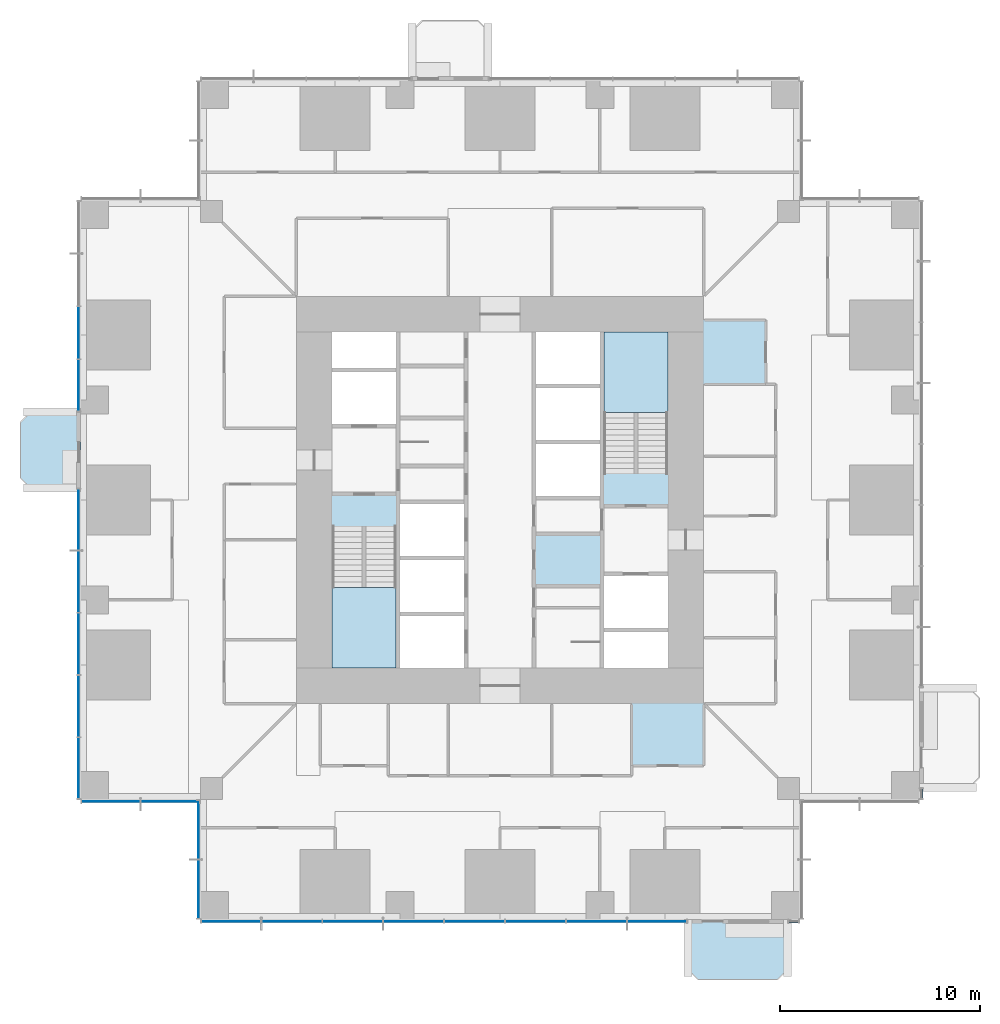
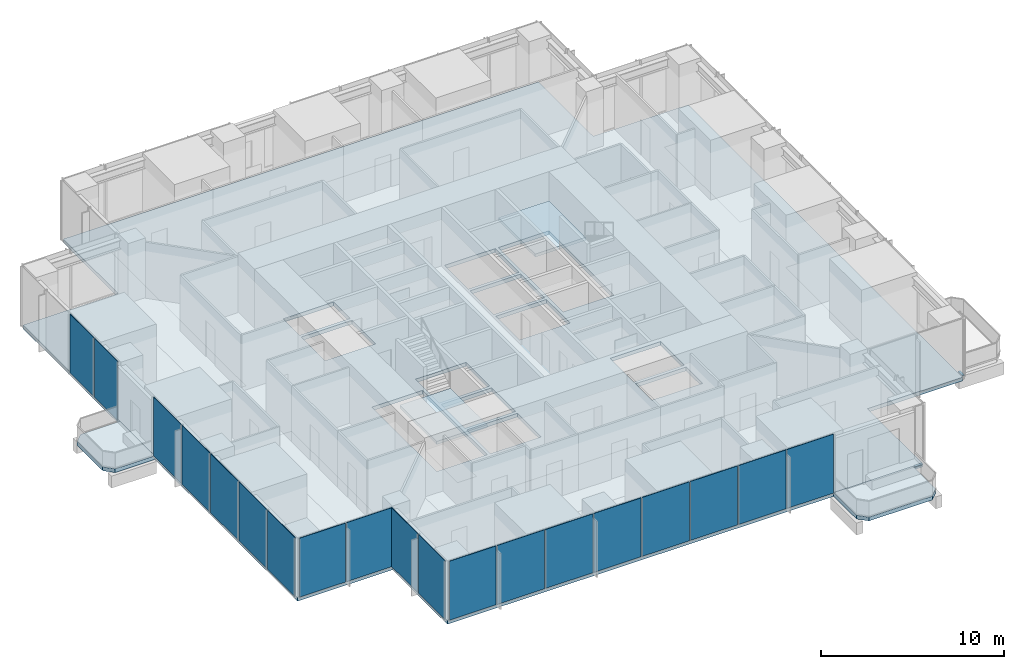
# One storey, part 7 of 16: 19 plates, 5 slabs, 2 members, 9 elements without a shape of their own.
"""IFC4 building model written with IfcOpenShell, lengths in metres."""

from ifc_helpers import new_model, si_unit, direction, frame, origin, origin_2d, place, context, subcontext, project, spatial, polyline, rectangle, outline, extrude, material, layer, layer_set, material_profile, profile_set, type_object, element, aggregate, save


model = new_model("IFC4")

# Units and contexts
model_context = context("Model", 3, precision=1e-05, world=origin(), true_north=direction((0.0, 1.0)))
body_context = subcontext(model_context, "Body", "Model", "MODEL_VIEW")
ifc_project = project(units=[si_unit("LENGTHUNIT", "METRE"), si_unit("AREAUNIT", "SQUARE_METRE"), si_unit("VOLUMEUNIT", "CUBIC_METRE"), si_unit("PLANEANGLEUNIT", "RADIAN"), si_unit("MASSUNIT", "GRAM", prefix="KILO")], contexts=[model_context])

# Site, building, storey
site_placement = place(None, origin())
site = spatial("IfcSite", under=ifc_project, at=site_placement, CompositionType="ELEMENT")
building_placement = place(site_placement, origin())
building = spatial("IfcBuilding", under=site, at=building_placement, Name="Svetlomir Tower", CompositionType="ELEMENT")
storey_placement = place(building_placement, frame((0.0, 0.0, 58.5)))
storey = spatial("IfcBuildingStorey", under=building, at=storey_placement, Name="L13", CompositionType="ELEMENT", Elevation=58.5)

# Curtain wall, member
ifc_material_1 = material(Name="Bronze anodised aluminium curtain wall", Category="aluminium")
curtain_wall_type = type_object("IfcCurtainWallType", Name="CURTAIN WALL CW1 TOWER OFFICE", PredefinedType="NOTDEFINED", material=ifc_material_1)
curtain_wall_1_placement = place(storey_placement, origin())
curtain_wall_1 = element("IfcCurtainWall", 1, at=curtain_wall_1_placement, inside=storey, type_object=curtain_wall_type, Name="Curtain wall CW1 L13", PredefinedType="NOTDEFINED")
ifc_material_2 = material(Name="Bronze anodised aluminium", Category="aluminium")
ifc_material_profile = material_profile(ifc_material_2, rectangle(XDim=0.139892578125, YDim=0.06494140625, at=origin_2d()), Name="AL 140x65")
ifc_profile_set = profile_set([ifc_material_profile], Name="Bronze anodised aluminium 6063-T6")
member_type = type_object("IfcMemberType", Name="CW1 TRANSOM 65x140", PredefinedType="USERDEFINED", material=ifc_profile_set)
member_1_placement = place(storey_placement, frame((35.465087890625, -0.10009765625, 0.032470703125), z_axis=(1.0, 0.0, 0.0), x_axis=(0.0, 1.0, 0.0)))
member_1 = element("IfcMember", 2, at=member_1_placement, type_object=member_type, Name="CW1 transom 1.1", ObjectType="TRANSOM", PredefinedType="USERDEFINED", context=body_context, shape_type="SweptSolid", body=[
    extrude(rectangle(XDim=0.139892578125, YDim=0.06494140625, at=origin_2d()), origin(), (0.0, 0.0, 1.0), 0.469970703125),
])
aggregate(curtain_wall_1, [member_1])

curtain_wall_2_placement = place(storey_placement, origin())
curtain_wall_2 = element("IfcCurtainWall", 3, at=curtain_wall_2_placement, inside=storey, type_object=curtain_wall_type, Name="Curtain wall CW1 L13", PredefinedType="NOTDEFINED")
member_2_placement = place(storey_placement, frame((42.10009765625, 6.06494140625, 0.032470703125), z_axis=(0.0, 1.0, 0.0), x_axis=(-1.0, 0.0, 0.0)))
member_2 = element("IfcMember", 4, at=member_2_placement, type_object=member_type, Name="CW1 transom 1.1", ObjectType="TRANSOM", PredefinedType="USERDEFINED", context=body_context, shape_type="SweptSolid", body=[
    extrude(rectangle(XDim=0.139892578125, YDim=0.06494140625, at=origin_2d()), origin(), (0.0, 0.0, 1.0), 0.469970703125),
])
aggregate(curtain_wall_2, [member_2])

# Slabs
ifc_material_3 = material(Name="Concrete C60/75", Category="concrete")
ifc_layer_1 = layer(ifc_material_3, 0.25)
ifc_layer_set_1 = layer_set([ifc_layer_1], Name="Concrete C60/75")
slab_type_1 = type_object("IfcSlabType", Name="BALCONY SLAB 250", PredefinedType="FLOOR", material=ifc_layer_set_1)
slab_1_placement = place(storey_placement, frame((0.0, 0.0, -0.25)))
element("IfcSlab", 5, at=slab_1_placement, inside=storey, type_object=slab_type_1, Name="L13 S planted balcony", PredefinedType="FLOOR", context=body_context, shape_type="SweptSolid", body=[
    extrude(outline(polyline([(30.39990234375, -2.5), (30.89990234375, -3.0), (34.89990234375, -3.0), (35.39990234375, -2.5), (35.39990234375, 0.0), (30.39990234375, 0.0), (30.39990234375, -2.5)])), origin(), (0.0, 0.0, 1.0), 0.25),
])
slab_2_placement = place(storey_placement, frame((0.0, 0.0, -0.25)))
element("IfcSlab", 6, at=slab_2_placement, inside=storey, type_object=slab_type_1, Name="L13 W planted balcony", PredefinedType="FLOOR", context=body_context, shape_type="SweptSolid", body=[
    extrude(outline(polyline([(-2.5, 21.60009765625), (0.0, 21.60009765625), (0.0, 25.39990234375), (-2.5, 25.39990234375), (-3.0, 24.89990234375), (-3.0, 22.10009765625), (-2.5, 21.60009765625)])), origin(), (0.0, 0.0, 1.0), 0.25),
])

# Curtain wall, plates
curtain_wall_3_placement = place(storey_placement, origin())
curtain_wall_3 = element("IfcCurtainWall", 7, at=curtain_wall_3_placement, inside=storey, type_object=curtain_wall_type, Name="Curtain wall CW1 L13", PredefinedType="NOTDEFINED")
ifc_material_4 = material(Name="Tinted double glazed unit", Category="glass")
ifc_layer_2 = layer(ifc_material_4, 0.031982421875)
ifc_layer_set_2 = layer_set([ifc_layer_2], Name="Tinted double glazed unit")
plate_type = type_object("IfcPlateType", Name="CW1 GLAZED PANEL 32", PredefinedType="CURTAIN_PANEL", material=ifc_layer_set_2)
plate_1_placement = place(storey_placement, frame((7.541259765625, -0.10009765625, 0.06494140625), z_axis=(0.0, 0.0, 1.0), x_axis=(1.0, 0.0, 0.0)))
plate_1 = element("IfcPlate", 8, at=plate_1_placement, type_object=plate_type, Name="CW1 panel 1.1", PredefinedType="CURTAIN_PANEL", context=body_context, shape_type="SweptSolid", body=[
    extrude(rectangle(XDim=2.952392578125, YDim=0.031982421875, at=origin_2d()), origin(), (0.0, 0.0, 1.0), 3.93505859375),
])
plate_2_placement = place(storey_placement, frame((10.574951171875, -0.10009765625, 0.06494140625), z_axis=(0.0, 0.0, 1.0), x_axis=(1.0, 0.0, 0.0)))
plate_2 = element("IfcPlate", 9, at=plate_2_placement, type_object=plate_type, Name="CW1 panel 2.1", PredefinedType="CURTAIN_PANEL", context=body_context, shape_type="SweptSolid", body=[
    extrude(rectangle(XDim=2.985107421875, YDim=0.031982421875, at=origin_2d()), origin(), (0.0, 0.0, 1.0), 3.93505859375),
])
plate_3_placement = place(storey_placement, frame((13.625, -0.10009765625, 0.06494140625), z_axis=(0.0, 0.0, 1.0), x_axis=(1.0, 0.0, 0.0)))
plate_3 = element("IfcPlate", 10, at=plate_3_placement, type_object=plate_type, Name="CW1 panel 3.1", PredefinedType="CURTAIN_PANEL", context=body_context, shape_type="SweptSolid", body=[
    extrude(rectangle(XDim=2.985107421875, YDim=0.031982421875, at=origin_2d()), origin(), (0.0, 0.0, 1.0), 3.93505859375),
])
plate_4_placement = place(storey_placement, frame((16.675048828125, -0.10009765625, 0.06494140625), z_axis=(0.0, 0.0, 1.0), x_axis=(1.0, 0.0, 0.0)))
plate_4 = element("IfcPlate", 11, at=plate_4_placement, type_object=plate_type, Name="CW1 panel 4.1", PredefinedType="CURTAIN_PANEL", context=body_context, shape_type="SweptSolid", body=[
    extrude(rectangle(XDim=2.985107421875, YDim=0.031982421875, at=origin_2d()), origin(), (0.0, 0.0, 1.0), 3.93505859375),
])
plate_5_placement = place(storey_placement, frame((19.72509765625, -0.10009765625, 0.06494140625), z_axis=(0.0, 0.0, 1.0), x_axis=(1.0, 0.0, 0.0)))
plate_5 = element("IfcPlate", 12, at=plate_5_placement, type_object=plate_type, Name="CW1 panel 5.1", PredefinedType="CURTAIN_PANEL", context=body_context, shape_type="SweptSolid", body=[
    extrude(rectangle(XDim=2.985107421875, YDim=0.031982421875, at=origin_2d()), origin(), (0.0, 0.0, 1.0), 3.93505859375),
])
plate_6_placement = place(storey_placement, frame((22.77490234375, -0.10009765625, 0.06494140625), z_axis=(0.0, 0.0, 1.0), x_axis=(1.0, 0.0, 0.0)))
plate_6 = element("IfcPlate", 13, at=plate_6_placement, type_object=plate_type, Name="CW1 panel 6.1", PredefinedType="CURTAIN_PANEL", context=body_context, shape_type="SweptSolid", body=[
    extrude(rectangle(XDim=2.985107421875, YDim=0.031982421875, at=origin_2d()), origin(), (0.0, 0.0, 1.0), 3.93505859375),
])
plate_7_placement = place(storey_placement, frame((25.824951171875, -0.10009765625, 0.06494140625), z_axis=(0.0, 0.0, 1.0), x_axis=(1.0, 0.0, 0.0)))
plate_7 = element("IfcPlate", 14, at=plate_7_placement, type_object=plate_type, Name="CW1 panel 7.1", PredefinedType="CURTAIN_PANEL", context=body_context, shape_type="SweptSolid", body=[
    extrude(rectangle(XDim=2.985107421875, YDim=0.031982421875, at=origin_2d()), origin(), (0.0, 0.0, 1.0), 3.93505859375),
])
plate_8_placement = place(storey_placement, frame((28.858642578125, -0.10009765625, 0.06494140625), z_axis=(0.0, 0.0, 1.0), x_axis=(1.0, 0.0, 0.0)))
plate_8 = element("IfcPlate", 15, at=plate_8_placement, type_object=plate_type, Name="CW1 panel 8.1", PredefinedType="CURTAIN_PANEL", context=body_context, shape_type="SweptSolid", body=[
    extrude(rectangle(XDim=2.952392578125, YDim=0.031982421875, at=origin_2d()), origin(), (0.0, 0.0, 1.0), 3.93505859375),
])
aggregate(curtain_wall_3, [plate_1, plate_2, plate_3, plate_4, plate_5, plate_6, plate_7, plate_8])

curtain_wall_4_placement = place(storey_placement, origin())
curtain_wall_4 = element("IfcCurtainWall", 16, at=curtain_wall_4_placement, inside=storey, type_object=curtain_wall_type, Name="Curtain wall CW1 L13", PredefinedType="NOTDEFINED")
plate_9_placement = place(storey_placement, frame((-0.10009765625, 29.375, 0.06494140625), z_axis=(0.0, 0.0, 1.0), x_axis=(0.0, -1.0, 0.0)))
plate_9 = element("IfcPlate", 17, at=plate_9_placement, type_object=plate_type, Name="CW1 panel 3.1", PredefinedType="CURTAIN_PANEL", context=body_context, shape_type="SweptSolid", body=[
    extrude(rectangle(XDim=2.5849609375, YDim=0.031982421875, at=origin_2d()), origin(), (0.0, 0.0, 1.0), 3.93505859375),
])
plate_10_placement = place(storey_placement, frame((-0.10009765625, 26.7412109375, 0.06494140625), z_axis=(0.0, 0.0, 1.0), x_axis=(0.0, -1.0, 0.0)))
plate_10 = element("IfcPlate", 18, at=plate_10_placement, type_object=plate_type, Name="CW1 panel 4.1", PredefinedType="CURTAIN_PANEL", context=body_context, shape_type="SweptSolid", body=[
    extrude(rectangle(XDim=2.552490234375, YDim=0.031982421875, at=origin_2d()), origin(), (0.0, 0.0, 1.0), 3.93505859375),
])
aggregate(curtain_wall_4, [plate_9, plate_10])

curtain_wall_5_placement = place(storey_placement, origin())
curtain_wall_5 = element("IfcCurtainWall", 19, at=curtain_wall_5_placement, inside=storey, type_object=curtain_wall_type, Name="Curtain wall CW1 L13", PredefinedType="NOTDEFINED")
plate_11_placement = place(storey_placement, frame((-0.10009765625, 20.023681640625, 0.06494140625), z_axis=(0.0, 0.0, 1.0), x_axis=(0.0, -1.0, 0.0)))
plate_11 = element("IfcPlate", 20, at=plate_11_placement, type_object=plate_type, Name="CW1 panel 1.1", PredefinedType="CURTAIN_PANEL", context=body_context, shape_type="SweptSolid", body=[
    extrude(rectangle(XDim=3.0224609375, YDim=0.031982421875, at=origin_2d()), origin(), (0.0, 0.0, 1.0), 3.93505859375),
])
plate_12_placement = place(storey_placement, frame((-0.10009765625, 16.919921875, 0.06494140625), z_axis=(0.0, 0.0, 1.0), x_axis=(0.0, -1.0, 0.0)))
plate_12 = element("IfcPlate", 21, at=plate_12_placement, type_object=plate_type, Name="CW1 panel 2.1", PredefinedType="CURTAIN_PANEL", context=body_context, shape_type="SweptSolid", body=[
    extrude(rectangle(XDim=3.054931640625, YDim=0.031982421875, at=origin_2d()), origin(), (0.0, 0.0, 1.0), 3.93505859375),
])
plate_13_placement = place(storey_placement, frame((-0.10009765625, 13.800048828125, 0.06494140625), z_axis=(0.0, 0.0, 1.0), x_axis=(0.0, -1.0, 0.0)))
plate_13 = element("IfcPlate", 22, at=plate_13_placement, type_object=plate_type, Name="CW1 panel 3.1", PredefinedType="CURTAIN_PANEL", context=body_context, shape_type="SweptSolid", body=[
    extrude(rectangle(XDim=3.054931640625, YDim=0.031982421875, at=origin_2d()), origin(), (0.0, 0.0, 1.0), 3.93505859375),
])
plate_14_placement = place(storey_placement, frame((-0.10009765625, 10.679931640625, 0.06494140625), z_axis=(0.0, 0.0, 1.0), x_axis=(0.0, -1.0, 0.0)))
plate_14 = element("IfcPlate", 23, at=plate_14_placement, type_object=plate_type, Name="CW1 panel 4.1", PredefinedType="CURTAIN_PANEL", context=body_context, shape_type="SweptSolid", body=[
    extrude(rectangle(XDim=3.054931640625, YDim=0.031982421875, at=origin_2d()), origin(), (0.0, 0.0, 1.0), 3.93505859375),
])
plate_15_placement = place(storey_placement, frame((-0.10009765625, 7.576171875, 0.06494140625), z_axis=(0.0, 0.0, 1.0), x_axis=(0.0, -1.0, 0.0)))
plate_15 = element("IfcPlate", 24, at=plate_15_placement, type_object=plate_type, Name="CW1 panel 5.1", PredefinedType="CURTAIN_PANEL", context=body_context, shape_type="SweptSolid", body=[
    extrude(rectangle(XDim=3.0224609375, YDim=0.031982421875, at=origin_2d()), origin(), (0.0, 0.0, 1.0), 3.93505859375),
])
aggregate(curtain_wall_5, [plate_11, plate_12, plate_13, plate_14, plate_15])

curtain_wall_6_placement = place(storey_placement, origin())
curtain_wall_6 = element("IfcCurtainWall", 25, at=curtain_wall_6_placement, inside=storey, type_object=curtain_wall_type, Name="Curtain wall CW1 L13", PredefinedType="NOTDEFINED")
plate_16_placement = place(storey_placement, frame((1.516357421875, 5.89990234375, 0.06494140625), z_axis=(0.0, 0.0, 1.0), x_axis=(1.0, 0.0, 0.0)))
plate_16 = element("IfcPlate", 26, at=plate_16_placement, type_object=plate_type, Name="CW1 panel 1.1", PredefinedType="CURTAIN_PANEL", context=body_context, shape_type="SweptSolid", body=[
    extrude(rectangle(XDim=2.902587890625, YDim=0.031982421875, at=origin_2d()), origin(), (0.0, 0.0, 1.0), 3.93505859375),
])
plate_17_placement = place(storey_placement, frame((4.483642578125, 5.89990234375, 0.06494140625), z_axis=(0.0, 0.0, 1.0), x_axis=(1.0, 0.0, 0.0)))
plate_17 = element("IfcPlate", 27, at=plate_17_placement, type_object=plate_type, Name="CW1 panel 2.1", PredefinedType="CURTAIN_PANEL", context=body_context, shape_type="SweptSolid", body=[
    extrude(rectangle(XDim=2.902587890625, YDim=0.031982421875, at=origin_2d()), origin(), (0.0, 0.0, 1.0), 3.93505859375),
])
aggregate(curtain_wall_6, [plate_16, plate_17])

curtain_wall_7_placement = place(storey_placement, origin())
curtain_wall_7 = element("IfcCurtainWall", 28, at=curtain_wall_7_placement, inside=storey, type_object=curtain_wall_type, Name="Curtain wall CW1 L13", PredefinedType="NOTDEFINED")
plate_18_placement = place(storey_placement, frame((5.89990234375, 4.483642578125, 0.06494140625), z_axis=(0.0, 0.0, 1.0), x_axis=(0.0, -1.0, 0.0)))
plate_18 = element("IfcPlate", 29, at=plate_18_placement, type_object=plate_type, Name="CW1 panel 1.1", PredefinedType="CURTAIN_PANEL", context=body_context, shape_type="SweptSolid", body=[
    extrude(rectangle(XDim=2.902587890625, YDim=0.031982421875, at=origin_2d()), origin(), (0.0, 0.0, 1.0), 3.93505859375),
])
plate_19_placement = place(storey_placement, frame((5.89990234375, 1.516357421875, 0.06494140625), z_axis=(0.0, 0.0, 1.0), x_axis=(0.0, -1.0, 0.0)))
plate_19 = element("IfcPlate", 30, at=plate_19_placement, type_object=plate_type, Name="CW1 panel 2.1", PredefinedType="CURTAIN_PANEL", context=body_context, shape_type="SweptSolid", body=[
    extrude(rectangle(XDim=2.902587890625, YDim=0.031982421875, at=origin_2d()), origin(), (0.0, 0.0, 1.0), 3.93505859375),
])
aggregate(curtain_wall_7, [plate_18, plate_19])

# Slab
ifc_material_5 = material(Name="Concrete C60/75", Category="concrete")
ifc_layer_3 = layer(ifc_material_5, 0.25)
ifc_layer_set_3 = layer_set([ifc_layer_3], Name="Concrete C60/75")
slab_type_2 = type_object("IfcSlabType", Name="FLOOR SLAB 250", PredefinedType="FLOOR", material=ifc_layer_set_3)
slab_3_placement = place(storey_placement, frame((0.0, 0.0, -0.25)))
element("IfcSlab", 31, at=slab_3_placement, inside=storey, type_object=slab_type_2, Name="L13 floor slab", PredefinedType="FLOOR", context=body_context, shape_type="SweptSolid", body=[
    extrude(outline(polyline([(6.0, 0.0), (36.0, 0.0), (36.0, 6.0), (42.0, 6.0), (42.0, 36.0), (36.0, 36.0), (36.0, 42.0), (6.0, 42.0), (6.0, 36.0), (0.0, 36.0), (0.0, 6.0), (6.0, 6.0), (6.0, 0.0)]), holes=[polyline([(12.60009765625, 24.800048828125), (15.800048828125, 24.800048828125), (15.800048828125, 27.39990234375), (12.60009765625, 27.39990234375), (12.60009765625, 24.800048828125)]), polyline([(26.199951171875, 14.60009765625), (29.39990234375, 14.60009765625), (29.39990234375, 17.199951171875), (26.199951171875, 17.199951171875), (26.199951171875, 14.60009765625)]), polyline([(16.0, 12.60009765625), (19.199951171875, 12.60009765625), (19.199951171875, 15.199951171875), (16.0, 15.199951171875), (16.0, 12.60009765625)]), polyline([(16.0, 15.39990234375), (19.199951171875, 15.39990234375), (19.199951171875, 18.0), (16.0, 18.0), (16.0, 15.39990234375)]), polyline([(16.0, 18.199951171875), (19.199951171875, 18.199951171875), (19.199951171875, 20.800048828125), (16.0, 20.800048828125), (16.0, 18.199951171875)]), polyline([(22.800048828125, 21.199951171875), (26.0, 21.199951171875), (26.0, 23.800048828125), (22.800048828125, 23.800048828125), (22.800048828125, 21.199951171875)]), polyline([(22.800048828125, 24.0), (26.0, 24.0), (26.0, 26.60009765625), (22.800048828125, 26.60009765625), (22.800048828125, 24.0)]), polyline([(22.800048828125, 26.800048828125), (26.0, 26.800048828125), (26.0, 29.39990234375), (22.800048828125, 29.39990234375), (22.800048828125, 26.800048828125)]), polyline([(12.60009765625, 27.60009765625), (15.800048828125, 27.60009765625), (15.800048828125, 29.39990234375), (12.60009765625, 29.39990234375), (12.60009765625, 27.60009765625)]), polyline([(26.199951171875, 12.60009765625), (29.39990234375, 12.60009765625), (29.39990234375, 14.39990234375), (26.199951171875, 14.39990234375), (26.199951171875, 12.60009765625)]), polyline([(12.60009765625, 12.60009765625), (15.800048828125, 12.60009765625), (15.800048828125, 19.679931640625), (12.60009765625, 19.679931640625), (12.60009765625, 12.60009765625)]), polyline([(26.199951171875, 22.320068359375), (29.39990234375, 22.320068359375), (29.39990234375, 29.39990234375), (26.199951171875, 29.39990234375), (26.199951171875, 22.320068359375)])]), origin(), (0.0, 0.0, 1.0), 0.25),
])

# Stair, slab
ifc_material_6 = material(Name="Concrete C60/75", Category="concrete")
stair_type = type_object("IfcStairType", Name="EXIT STAIR 3200 RISE 4000", PredefinedType="HALF_TURN_STAIR", material=ifc_material_6)
stair_1_placement = place(storey_placement, origin())
stair_1 = element("IfcStair", 32, at=stair_1_placement, inside=storey, type_object=stair_type, Name="Stair S1 L13 to L14", PredefinedType="HALF_TURN_STAIR")
ifc_material_7 = material(Name="Concrete C60/75", Category="concrete")
ifc_layer_4 = layer(ifc_material_7, 0.199951171875)
ifc_layer_set_4 = layer_set([ifc_layer_4], Name="Concrete C60/75")
slab_type_3 = type_object("IfcSlabType", Name="STAIR LANDING 200", PredefinedType="LANDING", material=ifc_layer_set_4)
slab_4_placement = place(storey_placement, frame((0.0, 0.0, 1.800048828125)))
slab_4 = element("IfcSlab", 33, at=slab_4_placement, type_object=slab_type_3, Name="S1 landing 1", PredefinedType="LANDING", context=body_context, shape_type="SweptSolid", body=[
    extrude(outline(polyline([(12.60009765625, 12.60009765625), (15.800048828125, 12.60009765625), (15.800048828125, 16.6201171875), (12.60009765625, 16.6201171875), (12.60009765625, 12.60009765625)])), origin(), (0.0, 0.0, 1.0), 0.199951171875),
])
aggregate(stair_1, [slab_4])

stair_2_placement = place(storey_placement, origin())
stair_2 = element("IfcStair", 34, at=stair_2_placement, inside=storey, type_object=stair_type, Name="Stair S2 L13 to L14", PredefinedType="HALF_TURN_STAIR")
slab_5_placement = place(storey_placement, frame((0.0, 0.0, 1.800048828125)))
slab_5 = element("IfcSlab", 35, at=slab_5_placement, type_object=slab_type_3, Name="S2 landing 1", PredefinedType="LANDING", context=body_context, shape_type="SweptSolid", body=[
    extrude(outline(polyline([(26.199951171875, 25.3798828125), (29.39990234375, 25.3798828125), (29.39990234375, 29.39990234375), (26.199951171875, 29.39990234375), (26.199951171875, 25.3798828125)])), origin(), (0.0, 0.0, 1.0), 0.199951171875),
])
aggregate(stair_2, [slab_5])

save(model, "model.ifc")
